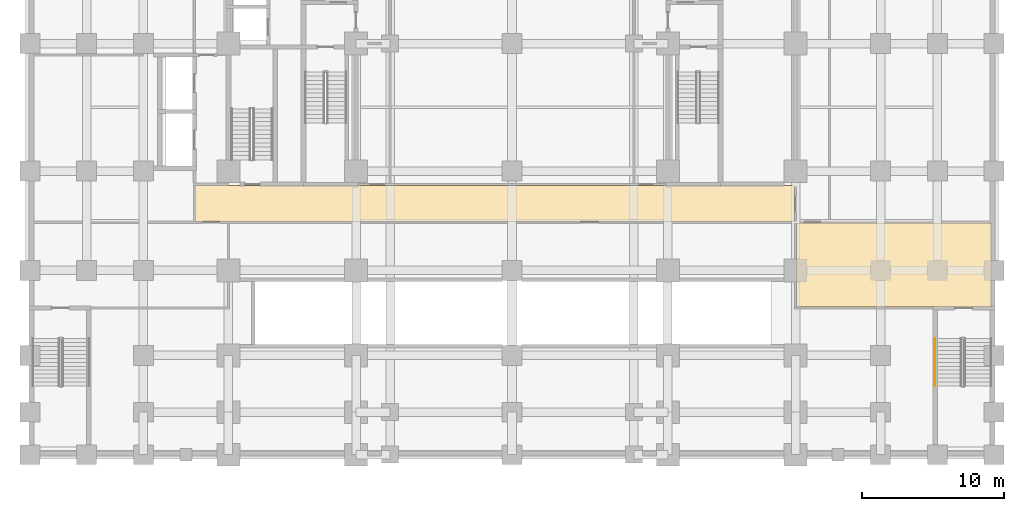
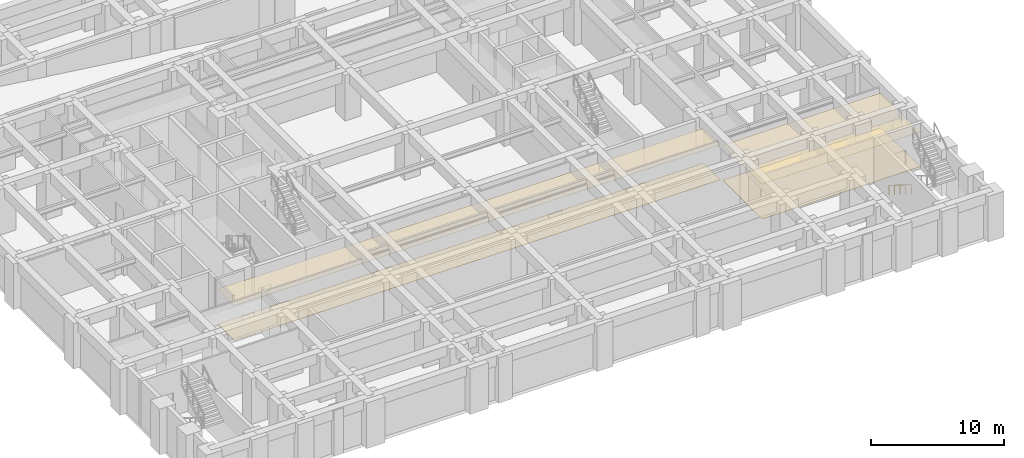
# One storey, part 10 of 14: 4 coverings, 1 railing.
"""IFC4 building model written with IfcOpenShell, lengths in metres."""

from ifc_helpers import new_model, si_unit, direction, frame, origin, origin_2d, place, context, subcontext, project, spatial, polyline, rectangle, outline, extrude, material, layer, layer_set, type_object, element, save


model = new_model("IFC4")

# Units and contexts
model_context = context("Model", 3, precision=1e-05, world=origin(), true_north=direction((0.0, 1.0)))
body_context = subcontext(model_context, "Body", "Model", "MODEL_VIEW")
ifc_project = project(units=[si_unit("LENGTHUNIT", "METRE"), si_unit("AREAUNIT", "SQUARE_METRE"), si_unit("VOLUMEUNIT", "CUBIC_METRE"), si_unit("PLANEANGLEUNIT", "RADIAN"), si_unit("MASSUNIT", "GRAM", prefix="KILO")], contexts=[model_context])

# Site, building, storey
site_placement = place(None, origin())
site = spatial("IfcSite", under=ifc_project, at=site_placement, CompositionType="ELEMENT")
building_placement = place(site_placement, origin())
building = spatial("IfcBuilding", under=site, at=building_placement, Name="Zulmaris Gate Convention Tower", CompositionType="ELEMENT")
storey_placement = place(building_placement, frame((0.0, 0.0, -4.550048828125)))
storey = spatial("IfcBuildingStorey", under=building, at=storey_placement, Name="B1", CompositionType="ELEMENT", Elevation=-4.550048828125)

# Coverings
ifc_material_1 = material(Name="Mineral Fibre Acoustic Ceiling Tile")
ifc_layer_1 = layer(ifc_material_1, 0.02001953125, Name="Mineral Fibre Acoustic Ceiling Tile")
ifc_layer_set_1 = layer_set([ifc_layer_1], Name="Mineral Fibre Acoustic Ceiling Tile")
covering_type_1 = type_object("IfcCoveringType", Name="CLG-ACOUSTIC-600", PredefinedType="CEILING", material=ifc_layer_set_1)
covering_1_placement = place(storey_placement, frame((0.0, 0.0, 3.2099609375)))
element("IfcCovering", 1, at=covering_1_placement, inside=storey, type_object=covering_type_1, Name="CLG-B1-R30", PredefinedType="CEILING", context=body_context, shape_type="SweptSolid", body=[
    extrude(outline(polyline([(-22.340087890625, -12.5400390625), (19.93994140625, -12.5400390625), (19.93994140625, -10.010009765625), (-22.340087890625, -10.010009765625), (-22.340087890625, -12.5400390625)])), origin(), (0.0, 0.0, 1.0), 0.02001953125),
])
covering_2_placement = place(storey_placement, frame((0.0, 0.0, 3.2099609375)))
element("IfcCovering", 2, at=covering_2_placement, inside=storey, type_object=covering_type_1, Name="CLG-B1-R39", PredefinedType="CEILING", context=body_context, shape_type="SweptSolid", body=[
    extrude(outline(polyline([(20.06005859375, -18.590087890625), (33.840087890625, -18.590087890625), (33.840087890625, -12.659912109375), (20.06005859375, -12.659912109375), (20.06005859375, -18.590087890625)])), origin(), (0.0, 0.0, 1.0), 0.02001953125),
])
ifc_material_2 = material(Name="Woven Acoustic Wool Carpet Tile")
ifc_layer_2 = layer(ifc_material_2, 0.02001953125, Name="Woven Acoustic Wool Carpet Tile")
ifc_layer_set_2 = layer_set([ifc_layer_2], Name="Woven Acoustic Wool Carpet Tile")
covering_type_2 = type_object("IfcCoveringType", Name="FLR-CARPET-12", PredefinedType="FLOORING", material=ifc_layer_set_2)
covering_3_placement = place(storey_placement, origin())
element("IfcCovering", 3, at=covering_3_placement, inside=storey, type_object=covering_type_2, Name="FLR-B1-R30", PredefinedType="FLOORING", context=body_context, shape_type="SweptSolid", body=[
    extrude(outline(polyline([(-22.340087890625, -12.5400390625), (19.93994140625, -12.5400390625), (19.93994140625, -10.010009765625), (-22.340087890625, -10.010009765625), (-22.340087890625, -12.5400390625)])), origin(), (0.0, 0.0, 1.0), 0.02001953125),
])
covering_4_placement = place(storey_placement, origin())
element("IfcCovering", 4, at=covering_4_placement, inside=storey, type_object=covering_type_2, Name="FLR-B1-R39", PredefinedType="FLOORING", context=body_context, shape_type="SweptSolid", body=[
    extrude(outline(polyline([(20.06005859375, -18.590087890625), (33.840087890625, -18.590087890625), (33.840087890625, -12.659912109375), (20.06005859375, -12.659912109375), (20.06005859375, -18.590087890625)])), origin(), (0.0, 0.0, 1.0), 0.02001953125),
])

# Railing
ifc_material_3 = material(Name="Brushed Stainless Steel", Category="steel")
railing_type = type_object("IfcRailingType", Name="RL-STH-900", PredefinedType="HANDRAIL", material=ifc_material_3)
railing_placement = place(storey_placement, frame((29.830078125, -20.800048828125, 0.175048828125)))
element("IfcRailing", 5, at=railing_placement, inside=storey, type_object=railing_type, Name="B1 ST-6 stair handrail 1", PredefinedType="HANDRAIL", context=body_context, shape_type="SweptSolid", body=[
    extrude(rectangle(XDim=0.048095703125, YDim=0.048095703125, at=origin_2d()), frame((0.0, 0.0, 0.8759765625), z_axis=(0.0, -0.847977533471, 0.530032171408), x_axis=(1.0, 0.0, 0.0)), (0.0, 0.0, 1.0), 3.962158203125),
    extrude(rectangle(XDim=0.0419921875, YDim=0.0419921875, at=origin_2d()), origin(), (0.0, 0.0, 1.0), 0.851806640625),
    extrude(rectangle(XDim=0.0419921875, YDim=0.0419921875, at=origin_2d()), frame((0.0, -0.83984375, 0.52490234375)), (0.0, 0.0, 1.0), 0.851806640625),
    extrude(rectangle(XDim=0.0419921875, YDim=0.0419921875, at=origin_2d()), frame((0.0, -1.679931640625, 1.050048828125)), (0.0, 0.0, 1.0), 0.851806640625),
    extrude(rectangle(XDim=0.0419921875, YDim=0.0419921875, at=origin_2d()), frame((0.0, -2.52001953125, 1.5751953125)), (0.0, 0.0, 1.0), 0.851806640625),
    extrude(rectangle(XDim=0.0419921875, YDim=0.0419921875, at=origin_2d()), frame((0.0, -3.35986328125, 2.10009765625)), (0.0, 0.0, 1.0), 0.851806640625),
])

save(model, "model.ifc")
